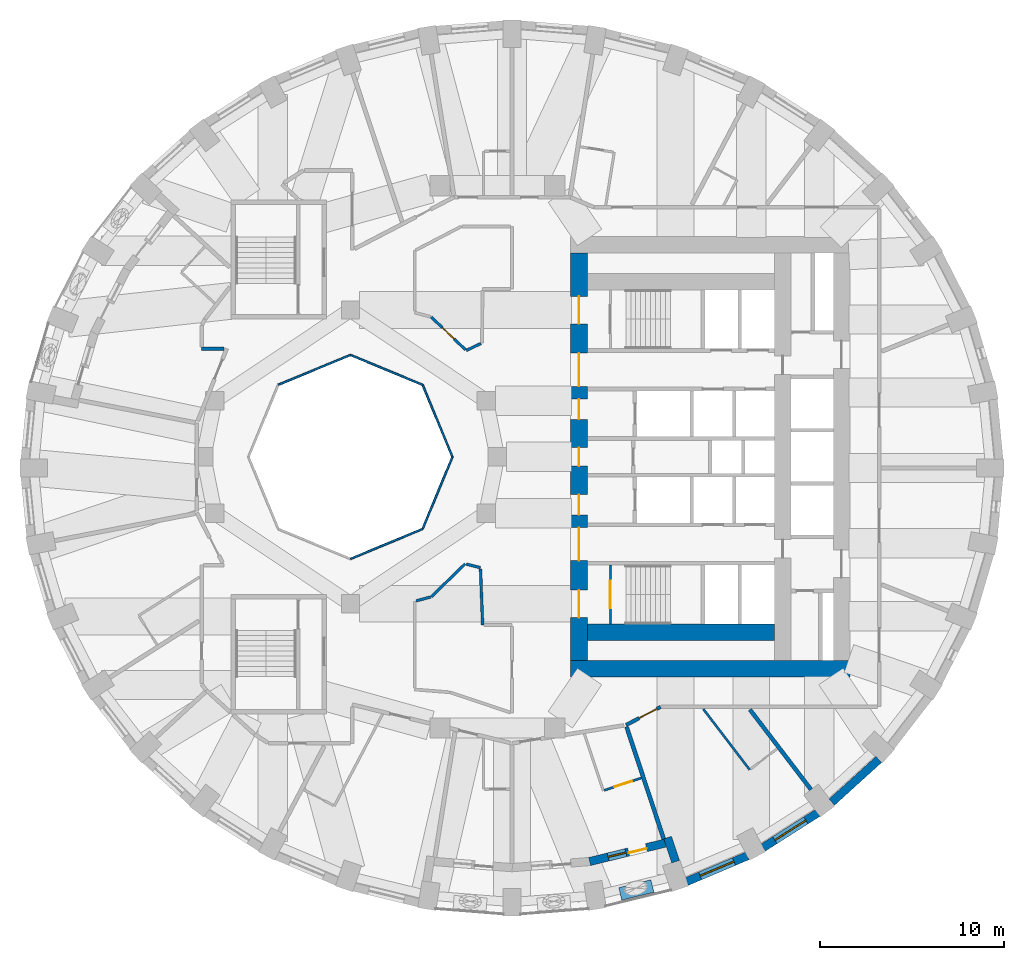
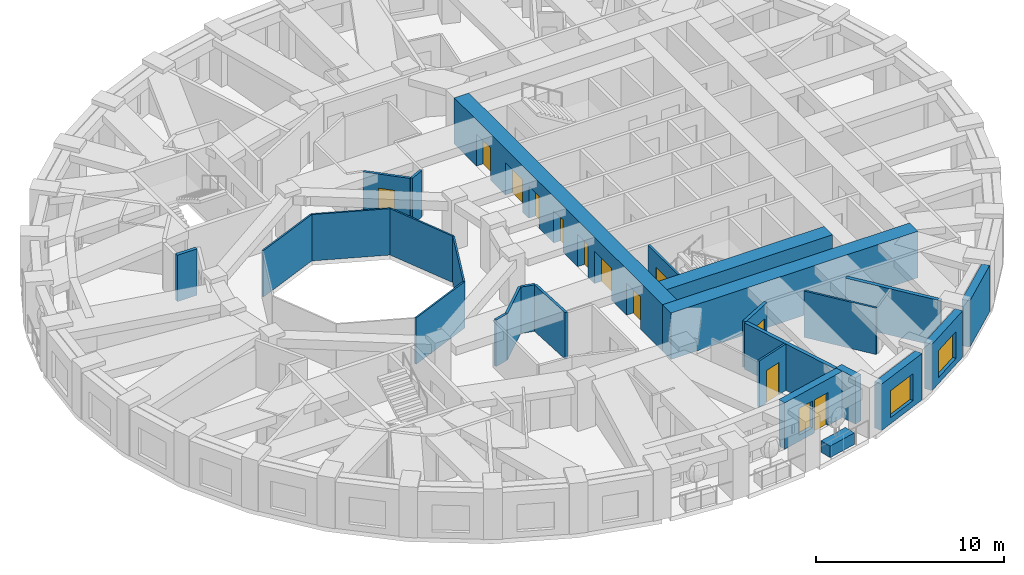
# One storey, part 5 of 13: 27 walls, 12 doors, 3 windows, 15 openings.
"""IFC4 building model written with IfcOpenShell, lengths in metres."""

from ifc_helpers import new_model, si_unit, direction, frame, frame_2d, origin, place, context, subcontext, project, spatial, rectangle, extrude, material, layer, layer_set, constituent, constituent_set, type_object, element, fill, save


model = new_model("IFC4")

# Units and contexts
model_context = context("Model", 3, precision=1e-05, world=origin(), true_north=direction((0.0, 1.0)))
body_context = subcontext(model_context, "Body", "Model", "MODEL_VIEW")
ifc_project = project(units=[si_unit("LENGTHUNIT", "METRE"), si_unit("AREAUNIT", "SQUARE_METRE"), si_unit("VOLUMEUNIT", "CUBIC_METRE"), si_unit("PLANEANGLEUNIT", "RADIAN"), si_unit("MASSUNIT", "GRAM", prefix="KILO")], contexts=[model_context])

# Site, building, storey
site_placement = place(None, origin())
site = spatial("IfcSite", under=ifc_project, at=site_placement, CompositionType="ELEMENT")
building_placement = place(site_placement, origin())
building = spatial("IfcBuilding", under=site, at=building_placement, Name="Taillehof Tower", CompositionType="ELEMENT")
storey_placement = place(building_placement, frame((0.0, 0.0, 115.300048828125)))
storey = spatial("IfcBuildingStorey", under=building, at=storey_placement, Name="L32", CompositionType="ELEMENT", Elevation=115.300048828125)

# Walls
ifc_material_1 = material(Name="Fire-resisting glass in steel frame", Category="steel")
ifc_layer_1 = layer(ifc_material_1, 0.10009765625)
ifc_layer_set_1 = layer_set([ifc_layer_1], Name="Atrium fire-resisting screen EI 60 100")
wall_type_1 = type_object("IfcWallType", Name="Atrium fire-resisting screen EI 60 100", PredefinedType="PARTITIONING", material=ifc_layer_set_1)
for number, where, z_axis, x_axis, name in (
    (1, (-2.44580078125, 0.0, 0.0), (0.0, 0.0, 1.0), (-0.382730523909, -0.923860025149, 0.0), "Atrium screen"),
    (2, (-4.07275390625, -3.92724609375, 0.0), (0.0, 0.0, 1.0), (-0.923860025149, -0.382730523909, 0.0), "Atrium screen"),
    (3, (-11.92724609375, 3.92724609375, 0.0), (0.0, 0.0, 1.0), (0.923860025149, 0.382730523909, 0.0), "Atrium screen"),
    (4, (-8.0, 5.55419921875, 0.0), (0.0, 0.0, 1.0), (0.923860025149, -0.382730523909, 0.0), "Atrium screen"),
    (5, (-4.07275390625, 3.92724609375, 0.0), (0.0, 0.0, 1.0), (0.382730523909, -0.923860025149, 0.0), "Atrium screen"),
):
    element("IfcWall", number, at=place(storey_placement, frame(where, z_axis=z_axis, x_axis=x_axis)), inside=storey, type_object=wall_type_1, Name=name, PredefinedType="PARTITIONING", context=body_context, shape_type="SweptSolid", body=[
        extrude(rectangle(XDim=4.2509765625, YDim=0.10009765625, at=frame_2d((2.12548828125, 0.0))), origin(), (0.0, 0.0, 1.0), 3.02001953125),
    ])

# Wall, opening, window
ifc_material_2 = material(Name="Brick masonry", Category="masonry")
ifc_layer_2 = layer(ifc_material_2, 0.449951171875)
ifc_layer_set_2 = layer_set([ifc_layer_2], Name="Brick infill wall 450")
wall_type_2 = type_object("IfcWallType", Name="Brick infill wall 450", PredefinedType="SOLIDWALL", material=ifc_layer_set_2)
wall_1_placement = place(storey_placement, frame((10.318115234375, -23.133544921875, 0.0), z_axis=(0.0, 0.0, 1.0), x_axis=(0.920869643542, 0.389870619055, 0.0)))
wall_1 = element("IfcWall", 6, at=wall_1_placement, inside=storey, type_object=wall_type_2, Name="Brick wall L32 bay 30", PredefinedType="SOLIDWALL", context=body_context, shape_type="SweptSolid", body=[
    extrude(rectangle(XDim=3.59130859375, YDim=0.449951171875, at=frame_2d((1.795654296875, 0.0))), origin(), (0.0, 0.0, 1.0), 3.02001953125),
])
opening_1_placement = place(wall_1_placement, frame((0.795654296875, 0.0, 0.39990234375)))
opening_1 = element("IfcOpeningElement", 7, at=opening_1_placement, cuts=wall_1, Name="Opening W2", PredefinedType="OPENING", context=body_context, shape_type="SweptSolid", body=[
    extrude(rectangle(XDim=2.0, YDim=1.75, at=frame_2d((1.0, 0.875))), frame((0.0, 0.23486328125, 0.0), z_axis=(0.0, -1.0, 0.0), x_axis=(1.0, 0.0, 0.0)), (0.0, 0.0, 1.0), 0.469970703125),
])
ifc_material_3 = material(Name="Aluminium window frame with clear double glazing", Category="aluminium")
window_type_1 = type_object("IfcWindowType", Name="Deep-set window 2000x1750", PartitioningType="SINGLE_PANEL", PredefinedType="WINDOW", material=ifc_material_3)
window_1_placement = place(opening_1_placement, origin())
window_1 = element("IfcWindow", 8, at=window_1_placement, inside=storey, type_object=window_type_1, Name="W2", OverallHeight=1.75, OverallWidth=2.0, PartitioningType="SINGLE_PANEL", PredefinedType="WINDOW", context=body_context, shape_type="SweptSolid", body=[
    extrude(rectangle(XDim=2.0, YDim=1.75, at=frame_2d((1.0, 0.875))), frame((0.0, 0.034912109375, 0.0), z_axis=(0.0, -1.0, 0.0), x_axis=(1.0, 0.0, 0.0)), (0.0, 0.0, 1.0), 0.06005859375),
])
fill(opening_1, window_1)

wall_2_placement = place(storey_placement, frame((14.475341796875, -21.287109375, 0.0), z_axis=(0.0, 0.0, 1.0), x_axis=(0.843911841423, 0.536481876587, 0.0)))
wall_2 = element("IfcWall", 9, at=wall_2_placement, inside=storey, type_object=wall_type_2, Name="Brick wall L32 bay 31", PredefinedType="SOLIDWALL", context=body_context, shape_type="SweptSolid", body=[
    extrude(rectangle(XDim=3.5322265625, YDim=0.449951171875, at=frame_2d((1.76611328125, 0.0))), origin(), (0.0, 0.0, 1.0), 3.02001953125),
])
opening_2_placement = place(wall_2_placement, frame((0.76611328125, 0.0, 0.39990234375)))
opening_2 = element("IfcOpeningElement", 10, at=opening_2_placement, cuts=wall_2, Name="Opening W2", PredefinedType="OPENING", context=body_context, shape_type="SweptSolid", body=[
    extrude(rectangle(XDim=2.0, YDim=1.75, at=frame_2d((1.0, 0.875))), frame((0.0, 0.23486328125, 0.0), z_axis=(0.0, -1.0, 0.0), x_axis=(1.0, 0.0, 0.0)), (0.0, 0.0, 1.0), 0.469970703125),
])
window_2_placement = place(opening_2_placement, origin())
window_2 = element("IfcWindow", 11, at=window_2_placement, inside=storey, type_object=window_type_1, Name="W2", OverallHeight=1.75, OverallWidth=2.0, PartitioningType="SINGLE_PANEL", PredefinedType="WINDOW", context=body_context, shape_type="SweptSolid", body=[
    extrude(rectangle(XDim=2.0, YDim=1.75, at=frame_2d((1.0, 0.875))), frame((0.0, 0.034912109375, 0.0), z_axis=(0.0, -1.0, 0.0), x_axis=(1.0, 0.0, 0.0)), (0.0, 0.0, 1.0), 0.06005859375),
])
fill(opening_2, window_2)

# Walls
wall_3_placement = place(storey_placement, frame((18.219482421875, -18.8095703125, 0.0), z_axis=(0.0, 0.0, 1.0), x_axis=(0.740364106106, 0.672206062446, 0.0)))
element("IfcWall", 12, at=wall_3_placement, inside=storey, type_object=wall_type_2, Name="Brick wall L32 bay 32", PredefinedType="SOLIDWALL", context=body_context, shape_type="SweptSolid", body=[
    extrude(rectangle(XDim=3.4638671875, YDim=0.449951171875, at=frame_2d((1.73193359375, 0.0))), origin(), (0.0, 0.0, 1.0), 3.02001953125),
])
wall_4_placement = place(storey_placement, frame((9.71435546875, -22.05322265625, 0.0), z_axis=(0.0, 0.0, 1.0), x_axis=(-0.314647068585, 0.949208734805, 0.0)))
element("IfcWall", 13, at=wall_4_placement, inside=storey, type_object=wall_type_2, Name="Brick reveal L32 pocket 8", PredefinedType="SOLIDWALL", context=body_context, shape_type="SweptSolid", body=[
    extrude(rectangle(XDim=1.390380859375, YDim=0.449951171875, at=frame_2d((0.6953125, 0.0))), origin(), (0.0, 0.0, 1.0), 3.02001953125),
])

# Wall, openings, door, window
wall_5_placement = place(storey_placement, frame((5.02001953125, -22.041015625, 0.0), z_axis=(0.0, 0.0, 1.0), x_axis=(0.971521631711, 0.236950879125, 0.0)))
wall_5 = element("IfcWall", 14, at=wall_5_placement, inside=storey, type_object=wall_type_2, Name="Brick wall L32 pocket bay 29", PredefinedType="SOLIDWALL", context=body_context, shape_type="SweptSolid", body=[
    extrude(rectangle(XDim=4.240966796875, YDim=0.449951171875, at=frame_2d((2.12060546875, 0.0))), origin(), (0.0, 0.0, 1.0), 3.02001953125),
])
opening_3_placement = place(wall_5_placement, frame((1.04541015625, 0.0, 0.39990234375)))
opening_3 = element("IfcOpeningElement", 15, at=opening_3_placement, cuts=wall_5, Name="Opening W5", PredefinedType="OPENING", context=body_context, shape_type="SweptSolid", body=[
    extrude(rectangle(XDim=1.0, YDim=1.75, at=frame_2d((0.5, 0.875))), frame((0.0, 0.23486328125, 0.0), z_axis=(0.0, -1.0, 0.0), x_axis=(1.0, 0.0, 0.0)), (0.0, 0.0, 1.0), 0.469970703125),
])
opening_4_placement = place(wall_5_placement, frame((2.195556640625, 0.0, 0.0)))
opening_4 = element("IfcOpeningElement", 16, at=opening_4_placement, cuts=wall_5, Name="Opening D3296", PredefinedType="OPENING", context=body_context, shape_type="SweptSolid", body=[
    extrude(rectangle(XDim=1.0, YDim=2.14990234375, at=frame_2d((0.5, 1.074951171875))), frame((0.0, 0.23486328125, 0.0), z_axis=(0.0, -1.0, 0.0), x_axis=(1.0, 0.0, 0.0)), (0.0, 0.0, 1.0), 0.469970703125),
])
ifc_material_4 = material(Name="Aluminium door frame with clear double glazing", Category="aluminium")
door_type_1 = type_object("IfcDoorType", Name="Balcony door 1000x2150", OperationType="SINGLE_SWING_RIGHT", PredefinedType="DOOR", material=ifc_material_4)
door_1_placement = place(opening_4_placement, frame((1.0, 0.0, 0.0), z_axis=(0.0, 0.0, 1.0), x_axis=(-1.0, 0.0, 0.0)))
door_1 = element("IfcDoor", 17, at=door_1_placement, inside=storey, type_object=door_type_1, Name="Balcony door L32 bay 29", OperationType="SINGLE_SWING_LEFT", OverallHeight=2.14990234375, OverallWidth=1.0, PredefinedType="DOOR", context=body_context, shape_type="SweptSolid", body=[
    extrude(rectangle(XDim=1.0, YDim=2.14990234375, at=frame_2d((0.5, 1.074951171875))), frame((0.0, 0.0751953125, 0.0), z_axis=(0.0, -1.0, 0.0), x_axis=(1.0, 0.0, 0.0)), (0.0, 0.0, 1.0), 0.050048828125),
])
fill(opening_4, door_1)
ifc_material_5 = material(Name="Aluminium window frame with clear double glazing", Category="aluminium")
window_type_2 = type_object("IfcWindowType", Name="Fixed window 1000x1750", PartitioningType="SINGLE_PANEL", PredefinedType="WINDOW", material=ifc_material_5)
window_3_placement = place(opening_3_placement, origin())
window_3 = element("IfcWindow", 18, at=window_3_placement, inside=storey, type_object=window_type_2, Name="W5", OverallHeight=1.75, OverallWidth=1.0, PartitioningType="SINGLE_PANEL", PredefinedType="WINDOW", context=body_context, shape_type="SweptSolid", body=[
    extrude(rectangle(XDim=1.0, YDim=1.75, at=frame_2d((0.5, 0.875))), frame((0.0, 0.034912109375, 0.0), z_axis=(0.0, -1.0, 0.0), x_axis=(1.0, 0.0, 0.0)), (0.0, 0.0, 1.0), 0.06005859375),
])
fill(opening_3, window_3)

# Wall
ifc_material_6 = material(Name="Gypsum board on steel studs, two layers each side", Category="steel")
ifc_layer_3 = layer(ifc_material_6, 0.199951171875)
ifc_layer_set_3 = layer_set([ifc_layer_3], Name="Compartment wall corridor 200")
wall_type_3 = type_object("IfcWallType", Name="Compartment wall corridor 200", PredefinedType="PARTITIONING", material=ifc_layer_set_3)
wall_6_placement = place(storey_placement, frame((-14.878662109375, 5.89990234375, 0.0), z_axis=(0.0, 0.0, 1.0), x_axis=(-1.0, 0.0, 0.0)))
element("IfcWall", 19, at=wall_6_placement, inside=storey, type_object=wall_type_3, Name="Compartment wall", PredefinedType="PARTITIONING", context=body_context, shape_type="SweptSolid", body=[
    extrude(rectangle(XDim=1.221435546875, YDim=0.199951171875, at=frame_2d((0.61083984375, 0.0))), origin(), (0.0, 0.0, 1.0), 3.02001953125),
])

# Wall, opening, door
wall_7_placement = place(storey_placement, frame((8.892333984375, -13.61865234375, 0.0), z_axis=(0.0, 0.0, 1.0), x_axis=(-0.885696642175, -0.464264426852, 0.0)))
wall_7 = element("IfcWall", 20, at=wall_7_placement, inside=storey, type_object=wall_type_3, Name="Compartment wall", PredefinedType="PARTITIONING", context=body_context, shape_type="SweptSolid", body=[
    extrude(rectangle(XDim=2.1259765625, YDim=0.199951171875, at=frame_2d((1.06298828125, 0.0))), origin(), (0.0, 0.0, 1.0), 3.02001953125),
])
opening_5_placement = place(wall_7_placement, frame((0.219970703125, 0.0, 0.0)))
opening_5 = element("IfcOpeningElement", 21, at=opening_5_placement, cuts=wall_7, Name="Opening D3262", PredefinedType="OPENING", context=body_context, shape_type="SweptSolid", body=[
    extrude(rectangle(XDim=1.10009765625, YDim=2.10009765625, at=frame_2d((0.550048828125, 1.050048828125))), frame((0.0, 0.10986328125, 0.0), z_axis=(0.0, -1.0, 0.0), x_axis=(1.0, 0.0, 0.0)), (0.0, 0.0, 1.0), 0.219970703125),
])
ifc_material_7 = material(Name="Timber door leaf in steel frame", Category="steel")
door_type_2 = type_object("IfcDoorType", Name="Suite entrance door EI 30 1100 x 2100", OperationType="SINGLE_SWING_LEFT", PredefinedType="DOOR", material=ifc_material_7)
door_2_placement = place(opening_5_placement, origin())
door_2 = element("IfcDoor", 22, at=door_2_placement, inside=storey, type_object=door_type_2, Name="D3262", OperationType="SINGLE_SWING_LEFT", OverallHeight=2.10009765625, OverallWidth=1.10009765625, PredefinedType="DOOR", context=body_context, shape_type="SweptSolid", body=[
    extrude(rectangle(XDim=1.10009765625, YDim=2.10009765625, at=frame_2d((0.550048828125, 1.050048828125))), frame((0.0, 0.02490234375, 0.0), z_axis=(0.0, -1.0, 0.0), x_axis=(1.0, 0.0, 0.0)), (0.0, 0.0, 1.0), 0.050048828125),
])
fill(opening_5, door_2)

# Walls
ifc_material_8 = material(Name="Gypsum board on double steel studs with mineral wool", Category="steel")
ifc_layer_4 = layer(ifc_material_8, 0.219970703125)
ifc_layer_set_4 = layer_set([ifc_layer_4], Name="Compartment wall guest room 220")
wall_type_4 = type_object("IfcWallType", Name="Compartment wall guest room 220", PredefinedType="PARTITIONING", material=ifc_layer_set_4)
wall_8_placement = place(storey_placement, frame((9.069091796875, -20.82177734375, 0.0), z_axis=(0.0, 0.0, 1.0), x_axis=(-0.31452344537, 0.949249704932, 0.0)))
element("IfcWall", 23, at=wall_8_placement, inside=storey, type_object=wall_type_4, Name="Compartment wall", PredefinedType="PARTITIONING", context=body_context, shape_type="SweptSolid", body=[
    extrude(rectangle(XDim=6.447998046875, YDim=0.219970703125, at=frame_2d((3.22412109375, 0.0))), origin(), (0.0, 0.0, 1.0), 3.02001953125),
])
wall_9_placement = place(storey_placement, frame((17.08935546875, -18.120849609375, 0.0), z_axis=(0.0, 0.0, 1.0), x_axis=(-0.607064955951, 0.794652212767, 0.0)))
element("IfcWall", 24, at=wall_9_placement, inside=storey, type_object=wall_type_4, Name="Compartment wall", PredefinedType="PARTITIONING", context=body_context, shape_type="SweptSolid", body=[
    extrude(rectangle(XDim=5.483154296875, YDim=0.219970703125, at=frame_2d((2.74169921875, 0.0))), origin(), (0.0, 0.0, 1.0), 3.02001953125),
])
ifc_material_9 = material(Name="Gypsum board on steel studs, two layers each side", Category="steel")
ifc_layer_5 = layer(ifc_material_9, 0.14990234375)
ifc_layer_set_5 = layer_set([ifc_layer_5], Name="Compartment wall service room 150")
wall_type_5 = type_object("IfcWallType", Name="Compartment wall service room 150", PredefinedType="PARTITIONING", material=ifc_layer_set_5)
wall_10_placement = place(storey_placement, frame((-0.891845703125, 6.1787109375, 0.0), z_axis=(0.0, 0.0, 1.0), x_axis=(-0.903944794982, -0.427649164181, 0.0)))
element("IfcWall", 25, at=wall_10_placement, inside=storey, type_object=wall_type_5, Name="Compartment wall", PredefinedType="PARTITIONING", context=body_context, shape_type="SweptSolid", body=[
    extrude(rectangle(XDim=0.88818359375, YDim=0.14990234375, at=frame_2d((0.444091796875, 0.0))), origin(), (0.0, 0.0, 1.0), 3.02001953125),
])

# Wall, opening, door
wall_11_placement = place(storey_placement, frame((-1.738037109375, 5.840576171875, 0.0), z_axis=(0.0, 0.0, 1.0), x_axis=(-0.722802374111, 0.691054793761, 0.0)))
wall_11 = element("IfcWall", 26, at=wall_11_placement, inside=storey, type_object=wall_type_5, Name="Compartment wall", PredefinedType="PARTITIONING", context=body_context, shape_type="SweptSolid", body=[
    extrude(rectangle(XDim=2.576171875, YDim=0.14990234375, at=frame_2d((1.2880859375, 0.0))), origin(), (0.0, 0.0, 1.0), 3.02001953125),
])
opening_6_placement = place(wall_11_placement, frame((0.838134765625, 0.0, 0.0)))
opening_6 = element("IfcOpeningElement", 27, at=opening_6_placement, cuts=wall_11, Name="Opening D3268", PredefinedType="OPENING", context=body_context, shape_type="SweptSolid", body=[
    extrude(rectangle(XDim=0.89990234375, YDim=2.10009765625, at=frame_2d((0.449951171875, 1.050048828125))), frame((0.0, 0.0849609375, 0.0), z_axis=(0.0, -1.0, 0.0), x_axis=(1.0, 0.0, 0.0)), (0.0, 0.0, 1.0), 0.169921875),
])
ifc_material_10 = material(Name="Timber door leaf in steel frame", Category="steel")
door_type_3 = type_object("IfcDoorType", Name="Service room door EI 30 900 x 2100", OperationType="SINGLE_SWING_LEFT", PredefinedType="DOOR", material=ifc_material_10)
door_3_placement = place(opening_6_placement, origin())
door_3 = element("IfcDoor", 28, at=door_3_placement, inside=storey, type_object=door_type_3, Name="D3268", OperationType="SINGLE_SWING_RIGHT", OverallHeight=2.10009765625, OverallWidth=0.89990234375, PredefinedType="DOOR", context=body_context, shape_type="SweptSolid", body=[
    extrude(rectangle(XDim=0.89990234375, YDim=2.10009765625, at=frame_2d((0.449951171875, 1.050048828125))), frame((0.0, 0.02490234375, 0.0), z_axis=(0.0, -1.0, 0.0), x_axis=(1.0, 0.0, 0.0)), (0.0, 0.0, 1.0), 0.050048828125),
])
fill(opening_6, door_3)

# Walls
wall_12_placement = place(storey_placement, frame((-3.60009765625, -7.620849609375, 0.0), z_axis=(0.0, 0.0, 1.0), x_axis=(0.717359204099, 0.696703503862, 0.0)))
element("IfcWall", 29, at=wall_12_placement, inside=storey, type_object=wall_type_5, Name="Compartment wall", PredefinedType="PARTITIONING", context=body_context, shape_type="SweptSolid", body=[
    extrude(rectangle(XDim=2.57666015625, YDim=0.14990234375, at=frame_2d((1.288330078125, 0.0))), origin(), (0.0, 0.0, 1.0), 3.02001953125),
])
wall_13_placement = place(storey_placement, frame((-1.69384765625, -5.84033203125, 0.0), z_axis=(0.0, 0.0, 1.0), x_axis=(0.970106576928, -0.242679272705, 0.0)))
element("IfcWall", 30, at=wall_13_placement, inside=storey, type_object=wall_type_5, Name="Compartment wall", PredefinedType="PARTITIONING", context=body_context, shape_type="SweptSolid", body=[
    extrude(rectangle(XDim=0.7998046875, YDim=0.14990234375, at=frame_2d((0.39990234375, 0.0))), origin(), (0.0, 0.0, 1.0), 3.02001953125),
])
wall_14_placement = place(storey_placement, frame((-0.9150390625, -6.114501953125, 0.0), z_axis=(0.0, 0.0, 1.0), x_axis=(0.037855898917, -0.999283208564, 0.0)))
element("IfcWall", 31, at=wall_14_placement, inside=storey, type_object=wall_type_5, Name="Compartment wall", PredefinedType="PARTITIONING", context=body_context, shape_type="SweptSolid", body=[
    extrude(rectangle(XDim=3.03759765625, YDim=0.14990234375, at=frame_2d((1.518798828125, 0.0))), origin(), (0.0, 0.0, 1.0), 3.02001953125),
])
wall_15_placement = place(storey_placement, frame((-4.4228515625, -7.841552734375, 0.0), z_axis=(0.0, 0.0, 1.0), x_axis=(0.96582447955, 0.259196980502, 0.0)))
element("IfcWall", 32, at=wall_15_placement, inside=storey, type_object=wall_type_5, Name="Compartment wall", PredefinedType="PARTITIONING", context=body_context, shape_type="SweptSolid", body=[
    extrude(rectangle(XDim=0.81201171875, YDim=0.14990234375, at=frame_2d((0.406005859375, 0.0))), origin(), (0.0, 0.0, 1.0), 3.02001953125),
])

# Wall, openings, doors
ifc_material_11 = material(Name="Concrete C80/95", Category="concrete")
ifc_layer_6 = layer(ifc_material_11, 0.89990234375)
ifc_layer_set_6 = layer_set([ifc_layer_6], Name="Core wall C80/95 900")
wall_type_6 = type_object("IfcWallType", Name="Core wall C80/95 900", PredefinedType="SHEAR", material=ifc_layer_set_6)
wall_16_placement = place(storey_placement, frame((4.449951171875, -11.10009765625, 0.0), z_axis=(0.0, 0.0, 1.0), x_axis=(0.0, 1.0, 0.0)))
wall_16 = element("IfcWall", 33, at=wall_16_placement, inside=storey, type_object=wall_type_6, Name="Core wall CW01", PredefinedType="SHEAR", context=body_context, shape_type="SweptSolid", body=[
    extrude(rectangle(XDim=22.2001953125, YDim=0.89990234375, at=frame_2d((11.10009765625, 0.0))), origin(), (0.0, 0.0, 1.0), 3.02001953125),
])
opening_7_placement = place(wall_16_placement, frame((2.35009765625, 0.0, 0.0)))
opening_7 = element("IfcOpeningElement", 34, at=opening_7_placement, cuts=wall_16, Name="Opening D3201", PredefinedType="OPENING", context=body_context, shape_type="SweptSolid", body=[
    extrude(rectangle(XDim=1.5, YDim=2.10009765625, at=frame_2d((0.75, 1.050048828125))), frame((0.0, 0.4599609375, 0.0), z_axis=(0.0, -1.0, 0.0), x_axis=(1.0, 0.0, 0.0)), (0.0, 0.0, 1.0), 0.919921875),
])
opening_8_placement = place(wall_16_placement, frame((5.449951171875, 0.0, 0.0)))
opening_8 = element("IfcOpeningElement", 35, at=opening_8_placement, cuts=wall_16, Name="Opening D3202", PredefinedType="OPENING", context=body_context, shape_type="SweptSolid", body=[
    extrude(rectangle(XDim=1.800048828125, YDim=2.10009765625, at=frame_2d((0.89990234375, 1.050048828125))), frame((0.0, 0.4599609375, 0.0), z_axis=(0.0, -1.0, 0.0), x_axis=(1.0, 0.0, 0.0)), (0.0, 0.0, 1.0), 0.919921875),
])
opening_9_placement = place(wall_16_placement, frame((7.949951171875, 0.0, 0.0)))
opening_9 = element("IfcOpeningElement", 36, at=opening_9_placement, cuts=wall_16, Name="Opening D3203", PredefinedType="OPENING", context=body_context, shape_type="SweptSolid", body=[
    extrude(rectangle(XDim=1.10009765625, YDim=2.10009765625, at=frame_2d((0.550048828125, 1.050048828125))), frame((0.0, 0.4599609375, 0.0), z_axis=(0.0, -1.0, 0.0), x_axis=(1.0, 0.0, 0.0)), (0.0, 0.0, 1.0), 0.919921875),
])
opening_10_placement = place(wall_16_placement, frame((10.60009765625, 0.0, 0.0)))
opening_10 = element("IfcOpeningElement", 37, at=opening_10_placement, cuts=wall_16, Name="Opening D3204", PredefinedType="OPENING", context=body_context, shape_type="SweptSolid", body=[
    extrude(rectangle(XDim=1.0, YDim=2.10009765625, at=frame_2d((0.5, 1.050048828125))), frame((0.0, 0.4599609375, 0.0), z_axis=(0.0, -1.0, 0.0), x_axis=(1.0, 0.0, 0.0)), (0.0, 0.0, 1.0), 0.919921875),
])
opening_11_placement = place(wall_16_placement, frame((13.14990234375, 0.0, 0.0)))
opening_11 = element("IfcOpeningElement", 38, at=opening_11_placement, cuts=wall_16, Name="Opening D3205", PredefinedType="OPENING", context=body_context, shape_type="SweptSolid", body=[
    extrude(rectangle(XDim=1.10009765625, YDim=2.10009765625, at=frame_2d((0.550048828125, 1.050048828125))), frame((0.0, 0.4599609375, 0.0), z_axis=(0.0, -1.0, 0.0), x_axis=(1.0, 0.0, 0.0)), (0.0, 0.0, 1.0), 0.919921875),
])
opening_12_placement = place(wall_16_placement, frame((14.949951171875, 0.0, 0.0)))
opening_12 = element("IfcOpeningElement", 39, at=opening_12_placement, cuts=wall_16, Name="Opening D3206", PredefinedType="OPENING", context=body_context, shape_type="SweptSolid", body=[
    extrude(rectangle(XDim=1.800048828125, YDim=2.10009765625, at=frame_2d((0.89990234375, 1.050048828125))), frame((0.0, 0.4599609375, 0.0), z_axis=(0.0, -1.0, 0.0), x_axis=(1.0, 0.0, 0.0)), (0.0, 0.0, 1.0), 0.919921875),
])
opening_13_placement = place(wall_16_placement, frame((18.35009765625, 0.0, 0.0)))
opening_13 = element("IfcOpeningElement", 40, at=opening_13_placement, cuts=wall_16, Name="Opening D3207", PredefinedType="OPENING", context=body_context, shape_type="SweptSolid", body=[
    extrude(rectangle(XDim=1.5, YDim=2.10009765625, at=frame_2d((0.75, 1.050048828125))), frame((0.0, 0.4599609375, 0.0), z_axis=(0.0, -1.0, 0.0), x_axis=(1.0, 0.0, 0.0)), (0.0, 0.0, 1.0), 0.919921875),
])
ifc_material_12 = material(Name="Steel-faced fire door", Category="steel")
door_type_4 = type_object("IfcDoorType", Name="Firefighting lobby door 1100x2100", OperationType="SINGLE_SWING_RIGHT", PredefinedType="DOOR", material=ifc_material_12)
door_4_placement = place(opening_9_placement, origin())
door_4 = element("IfcDoor", 41, at=door_4_placement, inside=storey, type_object=door_type_4, Name="Firefighting lobby door FFL-S", OperationType="SINGLE_SWING_RIGHT", OverallHeight=2.10009765625, OverallWidth=1.10009765625, PredefinedType="DOOR", context=body_context, shape_type="SweptSolid", body=[
    extrude(rectangle(XDim=1.10009765625, YDim=2.10009765625, at=frame_2d((0.550048828125, 1.050048828125))), frame((0.0, 0.02490234375, 0.0), z_axis=(0.0, -1.0, 0.0), x_axis=(1.0, 0.0, 0.0)), (0.0, 0.0, 1.0), 0.050048828125),
])
fill(opening_9, door_4)
door_5_placement = place(opening_11_placement, origin())
door_5 = element("IfcDoor", 42, at=door_5_placement, inside=storey, type_object=door_type_4, Name="Firefighting lobby door FFL-N", OperationType="SINGLE_SWING_LEFT", OverallHeight=2.10009765625, OverallWidth=1.10009765625, PredefinedType="DOOR", context=body_context, shape_type="SweptSolid", body=[
    extrude(rectangle(XDim=1.10009765625, YDim=2.10009765625, at=frame_2d((0.550048828125, 1.050048828125))), frame((0.0, 0.02490234375, 0.0), z_axis=(0.0, -1.0, 0.0), x_axis=(1.0, 0.0, 0.0)), (0.0, 0.0, 1.0), 0.050048828125),
])
fill(opening_11, door_5)
ifc_material_13 = material(Name="Steel-faced fire door", Category="steel")
door_type_5 = type_object("IfcDoorType", Name="Lift lobby door 1800x2100", OperationType="DOUBLE_DOOR_SINGLE_SWING", PredefinedType="DOOR", material=ifc_material_13)
door_6_placement = place(opening_8_placement, origin())
door_6 = element("IfcDoor", 43, at=door_6_placement, inside=storey, type_object=door_type_5, Name="Lift lobby door LL-S", OperationType="DOUBLE_DOOR_SINGLE_SWING", OverallHeight=2.10009765625, OverallWidth=1.800048828125, PredefinedType="DOOR", context=body_context, shape_type="SweptSolid", body=[
    extrude(rectangle(XDim=1.800048828125, YDim=2.10009765625, at=frame_2d((0.89990234375, 1.050048828125))), frame((0.0, 0.02490234375, 0.0), z_axis=(0.0, -1.0, 0.0), x_axis=(1.0, 0.0, 0.0)), (0.0, 0.0, 1.0), 0.050048828125),
])
fill(opening_8, door_6)
door_7_placement = place(opening_12_placement, origin())
door_7 = element("IfcDoor", 44, at=door_7_placement, inside=storey, type_object=door_type_5, Name="Lift lobby door LL-N", OperationType="DOUBLE_DOOR_SINGLE_SWING", OverallHeight=2.10009765625, OverallWidth=1.800048828125, PredefinedType="DOOR", context=body_context, shape_type="SweptSolid", body=[
    extrude(rectangle(XDim=1.800048828125, YDim=2.10009765625, at=frame_2d((0.89990234375, 1.050048828125))), frame((0.0, 0.02490234375, 0.0), z_axis=(0.0, -1.0, 0.0), x_axis=(1.0, 0.0, 0.0)), (0.0, 0.0, 1.0), 0.050048828125),
])
fill(opening_12, door_7)
ifc_material_14 = material(Name="Steel-faced fire door", Category="steel")
door_type_6 = type_object("IfcDoorType", Name="Service door 1000x2100", OperationType="SINGLE_SWING_RIGHT", PredefinedType="DOOR", material=ifc_material_14)
door_8_placement = place(opening_10_placement, origin())
door_8 = element("IfcDoor", 45, at=door_8_placement, inside=storey, type_object=door_type_6, Name="Service door SV", OperationType="SINGLE_SWING_RIGHT", OverallHeight=2.10009765625, OverallWidth=1.0, PredefinedType="DOOR", context=body_context, shape_type="SweptSolid", body=[
    extrude(rectangle(XDim=1.0, YDim=2.10009765625, at=frame_2d((0.5, 1.050048828125))), frame((0.0, 0.02490234375, 0.0), z_axis=(0.0, -1.0, 0.0), x_axis=(1.0, 0.0, 0.0)), (0.0, 0.0, 1.0), 0.050048828125),
])
fill(opening_10, door_8)
ifc_material_15 = material(Name="Steel-faced fire door", Category="steel")
door_type_7 = type_object("IfcDoorType", Name="Stair door 1500x2100", OperationType="DOUBLE_DOOR_SINGLE_SWING", PredefinedType="DOOR", material=ifc_material_15)
door_9_placement = place(opening_7_placement, origin())
door_9 = element("IfcDoor", 46, at=door_9_placement, inside=storey, type_object=door_type_7, Name="Stair door S2", OperationType="DOUBLE_DOOR_SINGLE_SWING", OverallHeight=2.10009765625, OverallWidth=1.5, PredefinedType="DOOR", context=body_context, shape_type="SweptSolid", body=[
    extrude(rectangle(XDim=1.5, YDim=2.10009765625, at=frame_2d((0.75, 1.050048828125))), frame((0.0, 0.02490234375, 0.0), z_axis=(0.0, -1.0, 0.0), x_axis=(1.0, 0.0, 0.0)), (0.0, 0.0, 1.0), 0.050048828125),
])
fill(opening_7, door_9)
door_10_placement = place(opening_13_placement, origin())
door_10 = element("IfcDoor", 47, at=door_10_placement, inside=storey, type_object=door_type_7, Name="Stair door S1", OperationType="DOUBLE_DOOR_SINGLE_SWING", OverallHeight=2.10009765625, OverallWidth=1.5, PredefinedType="DOOR", context=body_context, shape_type="SweptSolid", body=[
    extrude(rectangle(XDim=1.5, YDim=2.10009765625, at=frame_2d((0.75, 1.050048828125))), frame((0.0, 0.02490234375, 0.0), z_axis=(0.0, -1.0, 0.0), x_axis=(1.0, 0.0, 0.0)), (0.0, 0.0, 1.0), 0.050048828125),
])
fill(opening_13, door_10)

# Walls
wall_17_placement = place(storey_placement, frame((4.0, -11.550048828125, 0.0), z_axis=(0.0, 0.0, 1.0), x_axis=(1.0, 0.0, 0.0)))
element("IfcWall", 48, at=wall_17_placement, inside=storey, type_object=wall_type_6, Name="Core wall CW04", PredefinedType="SHEAR", context=body_context, shape_type="SweptSolid", body=[
    extrude(rectangle(XDim=15.199951171875, YDim=0.89990234375, at=frame_2d((7.60009765625, 0.0))), origin(), (0.0, 0.0, 1.0), 3.02001953125),
])
wall_18_placement = place(storey_placement, frame((4.89990234375, -9.550048828125, 0.0), z_axis=(0.0, 0.0, 1.0), x_axis=(1.0, 0.0, 0.0)))
element("IfcWall", 49, at=wall_18_placement, inside=storey, type_object=wall_type_6, Name="Core wall CW07", PredefinedType="SHEAR", context=body_context, shape_type="SweptSolid", body=[
    extrude(rectangle(XDim=10.2001953125, YDim=0.89990234375, at=frame_2d((5.10009765625, 0.0))), origin(), (0.0, 0.0, 1.0), 3.02001953125),
])
ifc_material_16 = material(Name="Gypsum board on steel studs, moisture resistant", Category="steel")
ifc_layer_7 = layer(ifc_material_16, 0.1201171875)
ifc_layer_set_7 = layer_set([ifc_layer_7], Name="En-suite wall 120")
wall_type_7 = type_object("IfcWallType", Name="En-suite wall 120", PredefinedType="PARTITIONING", material=ifc_layer_set_7)
wall_19_placement = place(storey_placement, frame((11.219482421875, -13.73193359375, 0.0), z_axis=(0.0, 0.0, 1.0), x_axis=(0.607090774052, -0.794632488677, 0.0)))
element("IfcWall", 50, at=wall_19_placement, inside=storey, type_object=wall_type_7, Name="En-suite wall", PredefinedType="PARTITIONING", context=body_context, shape_type="SweptSolid", body=[
    extrude(rectangle(XDim=4.161865234375, YDim=0.1201171875, at=frame_2d((2.0810546875, 0.0))), origin(), (0.0, 0.0, 1.0), 3.02001953125),
])

# Wall, opening, door
wall_20_placement = place(storey_placement, frame((5.826904296875, -18.15771484375, 0.0), z_axis=(0.0, 0.0, 1.0), x_axis=(0.94926636949, 0.314473146318, 0.0)))
wall_20 = element("IfcWall", 51, at=wall_20_placement, inside=storey, type_object=wall_type_7, Name="En-suite wall", PredefinedType="PARTITIONING", context=body_context, shape_type="SweptSolid", body=[
    extrude(rectangle(XDim=2.129638671875, YDim=0.1201171875, at=frame_2d((1.06494140625, 0.0))), origin(), (0.0, 0.0, 1.0), 3.02001953125),
])
opening_14_placement = place(wall_20_placement, frame((0.589599609375, 0.0, 0.0)))
opening_14 = element("IfcOpeningElement", 52, at=opening_14_placement, cuts=wall_20, Name="Opening D3261", PredefinedType="OPENING", context=body_context, shape_type="SweptSolid", body=[
    extrude(rectangle(XDim=1.0, YDim=2.10009765625, at=frame_2d((0.5, 1.050048828125))), frame((0.0, 0.070068359375, 0.0), z_axis=(0.0, -1.0, 0.0), x_axis=(1.0, 0.0, 0.0)), (0.0, 0.0, 1.0), 0.14013671875),
])
ifc_material_17 = material(Name="Timber door leaf in steel frame", Category="steel")
door_type_8 = type_object("IfcDoorType", Name="Accessible en-suite door 1000 x 2100", OperationType="SINGLE_SWING_LEFT", PredefinedType="DOOR", material=ifc_material_17)
door_11_placement = place(opening_14_placement, origin())
door_11 = element("IfcDoor", 53, at=door_11_placement, inside=storey, type_object=door_type_8, Name="D3261", OperationType="SINGLE_SWING_LEFT", OverallHeight=2.10009765625, OverallWidth=1.0, PredefinedType="DOOR", context=body_context, shape_type="SweptSolid", body=[
    extrude(rectangle(XDim=1.0, YDim=2.10009765625, at=frame_2d((0.5, 1.050048828125))), frame((0.0, 0.02490234375, 0.0), z_axis=(0.0, -1.0, 0.0), x_axis=(1.0, 0.0, 0.0)), (0.0, 0.0, 1.0), 0.050048828125),
])
fill(opening_14, door_11)

# Wall
ifc_material_18 = material(Name="Concrete C30/37 precast", Category="concrete")
ifc_constituent_1 = constituent(ifc_material_18, Name="Structure", Category="concrete")
ifc_material_19 = material(Name="Insulated lining")
ifc_constituent_2 = constituent(ifc_material_19, Name="Lining")
ifc_constituent_set = constituent_set(constituents=[ifc_constituent_1, ifc_constituent_2], Name="Planter trough 700x750")
wall_type_8 = type_object("IfcWallType", Name="Planter trough 700x750", PredefinedType="USERDEFINED", material=ifc_constituent_set)
wall_21_placement = place(storey_placement, frame((6.69873046875, -23.80078125, 0.0), z_axis=(0.0, 0.0, 1.0), x_axis=(0.971654974133, 0.23640349245, 0.0)))
element("IfcWall", 54, at=wall_21_placement, inside=storey, type_object=wall_type_8, Name="Planter L32 bay 29", ObjectType="PLANTER", PredefinedType="USERDEFINED", context=body_context, shape_type="SweptSolid", body=[
    extrude(rectangle(XDim=1.800048828125, YDim=0.699951171875, at=frame_2d((0.89990234375, 0.0))), origin(), (0.0, 0.0, 1.0), 0.75),
])

# Wall, opening, door
ifc_material_20 = material(Name="Concrete C50/60", Category="concrete")
ifc_layer_8 = layer(ifc_material_20, 0.1201171875)
ifc_layer_set_8 = layer_set([ifc_layer_8], Name="Stair lobby wall C50/60 120")
wall_type_9 = type_object("IfcWallType", Name="Stair lobby wall C50/60 120", PredefinedType="SHEAR", material=ifc_layer_set_8)
wall_22_placement = place(storey_placement, frame((6.159912109375, -9.10009765625, 0.0), z_axis=(0.0, 0.0, 1.0), x_axis=(0.0, 1.0, 0.0)))
wall_22 = element("IfcWall", 55, at=wall_22_placement, inside=storey, type_object=wall_type_9, Name="Compartment wall SW", PredefinedType="SHEAR", context=body_context, shape_type="SweptSolid", body=[
    extrude(rectangle(XDim=3.2001953125, YDim=0.1201171875, at=frame_2d((1.60009765625, 0.0))), origin(), (0.0, 0.0, 1.0), 3.02001953125),
])
opening_15_placement = place(wall_22_placement, frame((0.85009765625, 0.0, 0.0)))
opening_15 = element("IfcOpeningElement", 56, at=opening_15_placement, cuts=wall_22, Name="Opening D3211", PredefinedType="OPENING", context=body_context, shape_type="SweptSolid", body=[
    extrude(rectangle(XDim=1.5, YDim=2.10009765625, at=frame_2d((0.75, 1.050048828125))), frame((0.0, 0.070068359375, 0.0), z_axis=(0.0, -1.0, 0.0), x_axis=(1.0, 0.0, 0.0)), (0.0, 0.0, 1.0), 0.14013671875),
])
door_12_placement = place(opening_15_placement, origin())
door_12 = element("IfcDoor", 57, at=door_12_placement, inside=storey, type_object=door_type_7, Name="Stair lobby door S2", OperationType="DOUBLE_DOOR_SINGLE_SWING", OverallHeight=2.10009765625, OverallWidth=1.5, PredefinedType="DOOR", context=body_context, shape_type="SweptSolid", body=[
    extrude(rectangle(XDim=1.5, YDim=2.10009765625, at=frame_2d((0.75, 1.050048828125))), frame((0.0, 0.02490234375, 0.0), z_axis=(0.0, -1.0, 0.0), x_axis=(1.0, 0.0, 0.0)), (0.0, 0.0, 1.0), 0.050048828125),
])
fill(opening_15, door_12)

save(model, "model.ifc")
